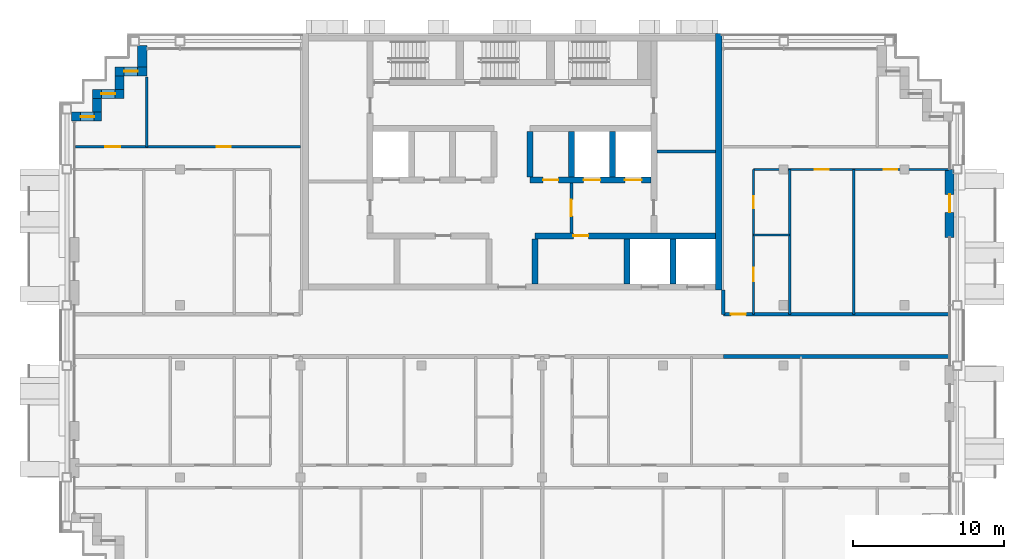
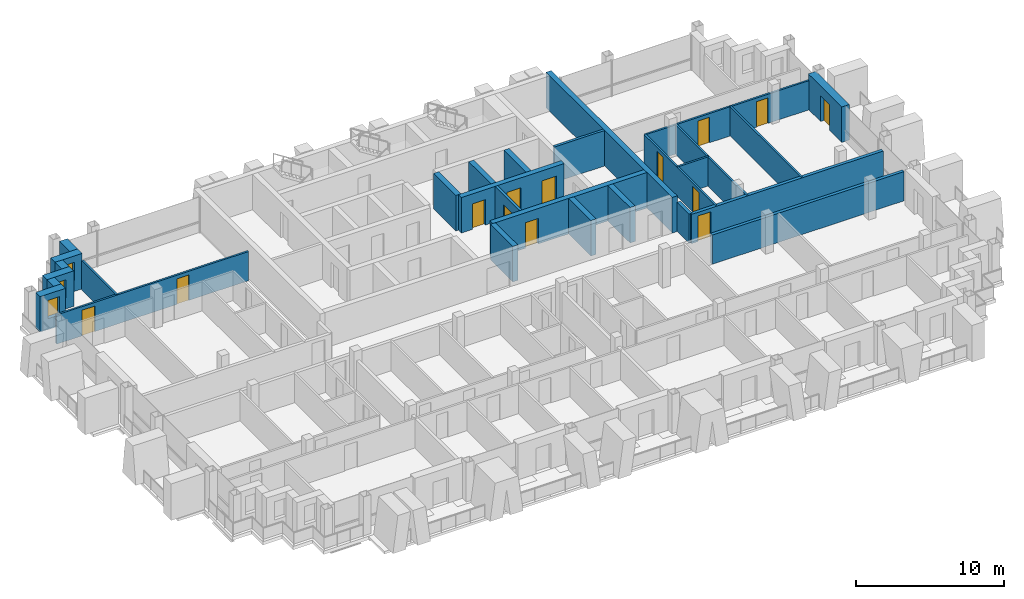
# One storey, part 10 of 15: 28 walls, 13 doors, 3 windows, 16 openings.
"""IFC4 building model written with IfcOpenShell, lengths in metres."""

import ifcopenshell
import ifcopenshell.guid

model = None  # the IFC model being written
_history = None  # IfcOwnerHistory: only IFC2X3 demands one
_inside = {}  # id of a spatial element -> (the spatial element, [elements in it])
_under = {}  # id of a project, library or spatial element -> (it, [spatial elements below it])
_declared = {}  # id of a project -> (the project, [libraries it declares])
_typed = {}  # id of a type object -> (the type object, [elements of that type])
_made_of = {}  # id of a material, layer set ... -> (it, [elements and type objects made of it])


def new_model(schema):
    """Start an empty IFC model of exactly this schema.

    Asked for "IFC4X3", IfcOpenShell would pick the latest addendum, in which some entities
    have other attributes; the version numbers below select the first issue.
    IFC2X3 requires an IfcOwnerHistory on every rooted entity: one is made here for all.
    """
    global model, _history
    if schema == "IFC4X3":
        model = ifcopenshell.file(schema_version=(4, 3, 0, 0))
    else:
        model = ifcopenshell.file(schema=schema)
    _inside.clear()
    _under.clear()
    _declared.clear()
    _typed.clear()
    _made_of.clear()
    _history = None
    if model.schema == "IFC2X3":
        org = make("IfcOrganization", Name="unknown")
        user = make(
            "IfcPersonAndOrganization",
            ThePerson=make("IfcPerson", FamilyName="unknown"),
            TheOrganization=org,
        )
        app = make(
            "IfcApplication",
            ApplicationDeveloper=org,
            Version="unknown",
            ApplicationFullName="unknown",
            ApplicationIdentifier="unknown",
        )
        _history = make(
            "IfcOwnerHistory",
            OwningUser=user,
            OwningApplication=app,
            ChangeAction="ADDED",
            CreationDate=0,
        )
    return model


def make(cls, **values):
    """One entity of the class cls with the attributes given. An attribute that is None is left unset."""
    return model.create_entity(
        cls, **{name: value for name, value in values.items() if value is not None}
    )


def rooted(cls, **values):
    """An entity with a GlobalId (a new one), such as an element, a storey or a relation."""
    return make(cls, GlobalId=ifcopenshell.guid.new(), OwnerHistory=_history, **values)


def si_unit(unit_type, name, prefix=None):
    """IfcSIUnit, for example si_unit("LENGTHUNIT", "METRE", prefix="MILLI")."""
    return make("IfcSIUnit", UnitType=unit_type, Prefix=prefix, Name=name)


def assignment(units):
    """IfcUnitAssignment: the units of a project."""
    return None if units is None else make("IfcUnitAssignment", Units=units)


def point(xyz):
    """IfcCartesianPoint."""
    return None if xyz is None else make("IfcCartesianPoint", Coordinates=xyz)


def direction(xyz):
    """IfcDirection."""
    return None if xyz is None else make("IfcDirection", DirectionRatios=xyz)


def frame(location, z_axis=None, x_axis=None):
    """IfcAxis2Placement3D, a coordinate frame: its origin and axes. An axis left out is left unset."""
    return make(
        "IfcAxis2Placement3D",
        Location=point(location),
        Axis=direction(z_axis),
        RefDirection=direction(x_axis),
    )


def frame_2d(location, x_axis=None):
    """IfcAxis2Placement2D, a coordinate frame in the plane: its origin and x axis."""
    return make(
        "IfcAxis2Placement2D", Location=point(location), RefDirection=direction(x_axis)
    )


def origin():
    """The frame at (0, 0, 0) with its axes left unset."""
    return frame((0.0, 0.0, 0.0))


def place(relative_to, where):
    """IfcLocalPlacement: puts the frame where relative to a parent placement (None: the world)."""
    return make(
        "IfcLocalPlacement", PlacementRelTo=relative_to, RelativePlacement=where
    )


def context(
    kind, dimensions, precision=None, world=None, true_north=None, identifier=None
):
    """IfcGeometricRepresentationContext, for example the 3D "Model" context."""
    return make(
        "IfcGeometricRepresentationContext",
        ContextIdentifier=identifier,
        ContextType=kind,
        CoordinateSpaceDimension=dimensions,
        Precision=precision,
        WorldCoordinateSystem=world,
        TrueNorth=true_north,
    )


def subcontext(parent, identifier, kind, view, scale=None):
    """IfcGeometricRepresentationSubContext, for example "Body" below "Model"."""
    return make(
        "IfcGeometricRepresentationSubContext",
        ContextIdentifier=identifier,
        ContextType=kind,
        ParentContext=parent,
        TargetScale=scale,
        TargetView=view,
    )


def project(units=None, contexts=None):
    """IfcProject with its units and contexts."""
    return rooted(
        "IfcProject",
        Name="project",
        RepresentationContexts=contexts,
        UnitsInContext=assignment(units),
    )


def spatial(cls, under=None, at=None, **own):
    """A site, building, storey or space (cls), placed at a placement, below another one or the project."""
    s = rooted(cls, ObjectPlacement=at, **own)
    if under is not None:
        _under.setdefault(under.id(), (under, []))[1].append(s)
    return s


def profile(cls, at=None, kind="AREA", **sizes):
    """A parametric profile (cls). Its sizes go by their IFC names, for example OverallWidth=200.0."""
    return make(cls, ProfileType=kind, Position=at, **sizes)


def rectangle(**sizes):
    """IfcRectangleProfileDef."""
    return profile("IfcRectangleProfileDef", **sizes)


def extrude(swept, where, along, depth):
    """IfcExtrudedAreaSolid: the profile swept, set in the frame where, extruded along a direction by depth."""
    return make(
        "IfcExtrudedAreaSolid",
        SweptArea=swept,
        Position=where,
        ExtrudedDirection=direction(along),
        Depth=depth,
    )


def shape(context_of_items, identifier, shape_type, items):
    """IfcShapeRepresentation: the items that make up one representation, for example the "Body"."""
    return make(
        "IfcShapeRepresentation",
        ContextOfItems=context_of_items,
        RepresentationIdentifier=identifier,
        RepresentationType=shape_type,
        Items=items,
    )


def material(Name=None, Category=None):
    """IfcMaterial."""
    return make("IfcMaterial", Name=Name, Category=Category)


def layer(
    of_material, thickness, ventilated=None, Name=None, Category=None, Priority=None
):
    """IfcMaterialLayer: one layer of a wall or slab, of a material (None: an air gap)."""
    return make(
        "IfcMaterialLayer",
        Material=of_material,
        LayerThickness=thickness,
        IsVentilated=ventilated,
        Name=Name,
        Category=Category,
        Priority=Priority,
    )


def layer_set(layers, Name=None):
    """IfcMaterialLayerSet."""
    return make("IfcMaterialLayerSet", MaterialLayers=layers, LayerSetName=Name)


def made_of(thing, what):
    """Note that an element or type object is made of a material, layer set ...; save() writes the relation."""
    if what is not None:
        _made_of.setdefault(what.id(), (what, []))[1].append(thing)
    return thing


def type_object(cls, material=None, **own):
    """A type object (cls), such as IfcWallType, which elements share."""
    return made_of(rooted(cls, **own), material)


def element(
    cls,
    number,
    at=None,
    inside=None,
    cuts=None,
    type_object=None,
    material=None,
    context=None,
    identifier="Body",
    shape_type=None,
    held_by="IfcProductDefinitionShape",
    body=None,
    shapes=None,
    **own,
):
    """One element of the class cls, such as IfcWall. Its Tag is "e" and its number.

    at: its placement. inside: the storey or other place that contains it. cuts: it is an
    opening in that element (IfcRelVoidsElement). A single representation is given by context,
    identifier, shape_type and body (its items); several are given by shapes. held_by: the class
    of the entity that holds the representations. save() writes the other relations.
    """
    e = rooted(cls, Tag="e%d" % number, ObjectPlacement=at, **own)
    if body is not None:
        shapes = [shape(context, identifier, shape_type, body)]
    if shapes is not None:
        e.Representation = make(held_by, Representations=shapes)
    if inside is not None:
        _inside.setdefault(inside.id(), (inside, []))[1].append(e)
    if cuts is not None:
        rooted(
            "IfcRelVoidsElement", RelatingBuildingElement=cuts, RelatedOpeningElement=e
        )
    if type_object is not None:
        _typed.setdefault(type_object.id(), (type_object, []))[1].append(e)
    return made_of(e, material)


def fill(opening, filler):
    """IfcRelFillsElement: the door or window that sits in an opening."""
    return rooted(
        "IfcRelFillsElement",
        RelatingOpeningElement=opening,
        RelatedBuildingElement=filler,
    )


def aggregate(whole, parts):
    """IfcRelAggregates: a whole, such as a stair, and the parts it consists of."""
    return rooted("IfcRelAggregates", RelatingObject=whole, RelatedObjects=parts)


def save(model, path):
    """Write the relations noted so far, then the file.

    IfcRelAggregates (storeys below a building ...), IfcRelContainedInSpatialStructure (elements
    in a storey), IfcRelDefinesByType, IfcRelAssociatesMaterial and IfcRelDeclares: one each for
    every whole, place, type object, material and project.
    """
    for whole, parts in _under.values():
        aggregate(whole, parts)
    for where, things in _inside.values():
        rooted(
            "IfcRelContainedInSpatialStructure",
            RelatedElements=things,
            RelatingStructure=where,
        )
    for kind, things in _typed.values():
        rooted("IfcRelDefinesByType", RelatedObjects=things, RelatingType=kind)
    for what, things in _made_of.values():
        rooted("IfcRelAssociatesMaterial", RelatedObjects=things, RelatingMaterial=what)
    for by, libraries in _declared.values():
        rooted("IfcRelDeclares", RelatingContext=by, RelatedDefinitions=libraries)
    model.write(path)


model = new_model("IFC4")

# Units and contexts
model_context = context("Model", 3, precision=1e-05, world=origin(), true_north=direction((0.0, 1.0)))
body_context = subcontext(model_context, "Body", "Model", "MODEL_VIEW")
ifc_project = project(units=[si_unit("LENGTHUNIT", "METRE"), si_unit("AREAUNIT", "SQUARE_METRE"), si_unit("VOLUMEUNIT", "CUBIC_METRE"), si_unit("PLANEANGLEUNIT", "RADIAN"), si_unit("MASSUNIT", "GRAM", prefix="KILO")], contexts=[model_context])

# Site, building, storey
site_placement = place(None, origin())
site = spatial("IfcSite", under=ifc_project, at=site_placement, CompositionType="ELEMENT")
building_placement = place(site_placement, origin())
building = spatial("IfcBuilding", under=site, at=building_placement, Name="Vidyagriha Tower", CompositionType="ELEMENT")
storey_placement = place(building_placement, frame((0.0, 0.0, 233.199951171875)))
storey = spatial("IfcBuildingStorey", under=building, at=storey_placement, Name="L61", CompositionType="ELEMENT", Elevation=233.199951171875)

# Wall
ifc_material_1 = material(Name="Precast concrete C40/50 with brick facing", Category="concrete")
ifc_layer_1 = layer(ifc_material_1, 0.60009765625)
ifc_layer_set_1 = layer_set([ifc_layer_1], Name="Precast concrete C40/50 with brick facing")
wall_type_1 = type_object("IfcWallType", Name="Brick-faced precast wall 600", PredefinedType="STANDARD", material=ifc_layer_set_1)
wall_1_placement = place(storey_placement, frame((-24.5, 19.199951171875, 0.0), z_axis=(0.0, 0.0, 1.0), x_axis=(0.0, -1.0, 0.0)))
element("IfcWall", 1, at=wall_1_placement, inside=storey, type_object=wall_type_1, Name="Stepped corner wall L61 R10", PredefinedType="STANDARD", context=body_context, shape_type="SweptSolid", body=[
    extrude(rectangle(XDim=1.39990234375, YDim=0.60009765625, at=frame_2d((0.699951171875, 0.0))), origin(), (0.0, 0.0, 1.0), 2.920166015625),
])

# Wall, opening, window
wall_2_placement = place(storey_placement, frame((-24.199951171875, 17.5, 0.0), z_axis=(0.0, 0.0, 1.0), x_axis=(-1.0, 0.0, 0.0)))
wall_2 = element("IfcWall", 2, at=wall_2_placement, inside=storey, type_object=wall_type_1, Name="Stepped corner wall L61 R11", PredefinedType="STANDARD", context=body_context, shape_type="SweptSolid", body=[
    extrude(rectangle(XDim=2.10009765625, YDim=0.60009765625, at=frame_2d((1.050048828125, 0.0))), origin(), (0.0, 0.0, 1.0), 2.920166015625),
])
opening_1_placement = place(wall_2_placement, frame((0.60009765625, 0.0, 0.89990234375)))
opening_1 = element("IfcOpeningElement", 3, at=opening_1_placement, cuts=wall_2, Name="Opening WN1", PredefinedType="OPENING", context=body_context, shape_type="SweptSolid", body=[
    extrude(rectangle(XDim=0.89990234375, YDim=1.5, at=frame_2d((0.449951171875, 0.75))), frame((0.0, 0.31005859375, 0.0), z_axis=(0.0, -1.0, 0.0), x_axis=(1.0, 0.0, 0.0)), (0.0, 0.0, 1.0), 0.6201171875),
])
ifc_material_2 = material(Name="Aluminium and glass window", Category="aluminium")
window_type = type_object("IfcWindowType", Name="Reveal window 900x1500", PartitioningType="NOTDEFINED", PredefinedType="WINDOW", material=ifc_material_2)
window_1_placement = place(opening_1_placement, origin())
window_1 = element("IfcWindow", 4, at=window_1_placement, inside=storey, type_object=window_type, Name="Reveal window L61 R11", OverallHeight=1.5, OverallWidth=0.89990234375, PartitioningType="SINGLE_PANEL", PredefinedType="WINDOW", context=body_context, shape_type="SweptSolid", body=[
    extrude(rectangle(XDim=0.89990234375, YDim=1.5, at=frame_2d((0.449951171875, 0.75))), frame((0.0, 0.030029296875, 0.0), z_axis=(0.0, -1.0, 0.0), x_axis=(1.0, 0.0, 0.0)), (0.0, 0.0, 1.0), 0.06005859375),
])
fill(opening_1, window_1)

# Wall
wall_3_placement = place(storey_placement, frame((-26.0, 17.199951171875, 0.0), z_axis=(0.0, 0.0, 1.0), x_axis=(0.0, -1.0, 0.0)))
element("IfcWall", 5, at=wall_3_placement, inside=storey, type_object=wall_type_1, Name="Stepped corner wall L61 R12", PredefinedType="STANDARD", context=body_context, shape_type="SweptSolid", body=[
    extrude(rectangle(XDim=0.89990234375, YDim=0.60009765625, at=frame_2d((0.449951171875, 0.0))), origin(), (0.0, 0.0, 1.0), 2.920166015625),
])

# Wall, opening, window
wall_4_placement = place(storey_placement, frame((-25.699951171875, 16.0, 0.0), z_axis=(0.0, 0.0, 1.0), x_axis=(-1.0, 0.0, 0.0)))
wall_4 = element("IfcWall", 6, at=wall_4_placement, inside=storey, type_object=wall_type_1, Name="Stepped corner wall L61 R13", PredefinedType="STANDARD", context=body_context, shape_type="SweptSolid", body=[
    extrude(rectangle(XDim=2.10009765625, YDim=0.60009765625, at=frame_2d((1.050048828125, 0.0))), origin(), (0.0, 0.0, 1.0), 2.920166015625),
])
opening_2_placement = place(wall_4_placement, frame((0.60009765625, 0.0, 0.89990234375)))
opening_2 = element("IfcOpeningElement", 7, at=opening_2_placement, cuts=wall_4, Name="Opening WN1", PredefinedType="OPENING", context=body_context, shape_type="SweptSolid", body=[
    extrude(rectangle(XDim=0.89990234375, YDim=1.5, at=frame_2d((0.449951171875, 0.75))), frame((0.0, 0.31005859375, 0.0), z_axis=(0.0, -1.0, 0.0), x_axis=(1.0, 0.0, 0.0)), (0.0, 0.0, 1.0), 0.6201171875),
])
window_2_placement = place(opening_2_placement, origin())
window_2 = element("IfcWindow", 8, at=window_2_placement, inside=storey, type_object=window_type, Name="Reveal window L61 R13", OverallHeight=1.5, OverallWidth=0.89990234375, PartitioningType="SINGLE_PANEL", PredefinedType="WINDOW", context=body_context, shape_type="SweptSolid", body=[
    extrude(rectangle(XDim=0.89990234375, YDim=1.5, at=frame_2d((0.449951171875, 0.75))), frame((0.0, 0.030029296875, 0.0), z_axis=(0.0, -1.0, 0.0), x_axis=(1.0, 0.0, 0.0)), (0.0, 0.0, 1.0), 0.06005859375),
])
fill(opening_2, window_2)

# Wall
wall_5_placement = place(storey_placement, frame((-27.5, 15.699951171875, 0.0), z_axis=(0.0, 0.0, 1.0), x_axis=(0.0, -1.0, 0.0)))
element("IfcWall", 9, at=wall_5_placement, inside=storey, type_object=wall_type_1, Name="Stepped corner wall L61 R14", PredefinedType="STANDARD", context=body_context, shape_type="SweptSolid", body=[
    extrude(rectangle(XDim=0.89990234375, YDim=0.60009765625, at=frame_2d((0.449951171875, 0.0))), origin(), (0.0, 0.0, 1.0), 2.920166015625),
])

# Wall, opening, window
wall_6_placement = place(storey_placement, frame((-27.199951171875, 14.5, 0.0), z_axis=(0.0, 0.0, 1.0), x_axis=(-1.0, 0.0, 0.0)))
wall_6 = element("IfcWall", 10, at=wall_6_placement, inside=storey, type_object=wall_type_1, Name="Stepped corner wall L61 R15", PredefinedType="STANDARD", context=body_context, shape_type="SweptSolid", body=[
    extrude(rectangle(XDim=2.0, YDim=0.60009765625, at=frame_2d((1.0, 0.0))), origin(), (0.0, 0.0, 1.0), 2.920166015625),
])
opening_3_placement = place(wall_6_placement, frame((0.489990234375, 0.0, 0.89990234375)))
opening_3 = element("IfcOpeningElement", 11, at=opening_3_placement, cuts=wall_6, Name="Opening WN1", PredefinedType="OPENING", context=body_context, shape_type="SweptSolid", body=[
    extrude(rectangle(XDim=0.89990234375, YDim=1.5, at=frame_2d((0.449951171875, 0.75))), frame((0.0, 0.31005859375, 0.0), z_axis=(0.0, -1.0, 0.0), x_axis=(1.0, 0.0, 0.0)), (0.0, 0.0, 1.0), 0.6201171875),
])
window_3_placement = place(opening_3_placement, origin())
window_3 = element("IfcWindow", 12, at=window_3_placement, inside=storey, type_object=window_type, Name="Reveal window L61 R15", OverallHeight=1.5, OverallWidth=0.89990234375, PartitioningType="SINGLE_PANEL", PredefinedType="WINDOW", context=body_context, shape_type="SweptSolid", body=[
    extrude(rectangle(XDim=0.89990234375, YDim=1.5, at=frame_2d((0.449951171875, 0.75))), frame((0.0, 0.030029296875, 0.0), z_axis=(0.0, -1.0, 0.0), x_axis=(1.0, 0.0, 0.0)), (0.0, 0.0, 1.0), 0.06005859375),
])
fill(opening_3, window_3)

# Wall, opening, door
wall_7_placement = place(storey_placement, frame((29.0, 6.5, 0.0), z_axis=(0.0, 0.0, 1.0), x_axis=(0.0, 1.0, 0.0)))
wall_7 = element("IfcWall", 13, at=wall_7_placement, inside=storey, type_object=wall_type_1, Name="Brick door bay wall L61 R30.6", PredefinedType="STANDARD", context=body_context, shape_type="SweptSolid", body=[
    extrude(rectangle(XDim=4.5, YDim=0.60009765625, at=frame_2d((2.25, 0.0))), origin(), (0.0, 0.0, 1.0), 2.920166015625),
])
opening_4_placement = place(wall_7_placement, frame((1.64990234375, 0.0, 0.0)))
opening_4 = element("IfcOpeningElement", 14, at=opening_4_placement, cuts=wall_7, Name="Opening D61-66", PredefinedType="OPENING", context=body_context, shape_type="SweptSolid", body=[
    extrude(rectangle(XDim=1.199951171875, YDim=2.10009765625, at=frame_2d((0.60009765625, 1.050048828125))), frame((0.0, 0.31005859375, 0.0), z_axis=(0.0, -1.0, 0.0), x_axis=(1.0, 0.0, 0.0)), (0.0, 0.0, 1.0), 0.6201171875),
])
ifc_material_3 = material(Name="Aluminium framed glazed sliding door", Category="aluminium")
door_type_1 = type_object("IfcDoorType", Name="Balcony sliding door 1200x2100", OperationType="NOTDEFINED", PredefinedType="DOOR", material=ifc_material_3)
door_1_placement = place(opening_4_placement, origin())
door_1 = element("IfcDoor", 15, at=door_1_placement, inside=storey, type_object=door_type_1, Name="Door D61-66", OperationType="SLIDING_TO_LEFT", OverallHeight=2.10009765625, OverallWidth=1.199951171875, PredefinedType="DOOR", context=body_context, shape_type="SweptSolid", body=[
    extrude(rectangle(XDim=1.199951171875, YDim=2.10009765625, at=frame_2d((0.60009765625, 1.050048828125))), frame((0.0, 0.02490234375, 0.0), z_axis=(0.0, -1.0, 0.0), x_axis=(1.0, 0.0, 0.0)), (0.0, 0.0, 1.0), 0.050048828125),
])
fill(opening_4, door_1)

# Wall
ifc_material_4 = material(Name="Concrete C60/75", Category="concrete")
ifc_layer_2 = layer(ifc_material_4, 0.39990234375)
ifc_layer_set_2 = layer_set([ifc_layer_2], Name="Concrete C60/75")
wall_type_2 = type_object("IfcWallType", Name="Core shear wall 400 mm", PredefinedType="SHEAR", material=ifc_layer_set_2)
wall_8_placement = place(storey_placement, frame((13.699951171875, 3.0, 0.0), z_axis=(0.0, 0.0, 1.0), x_axis=(0.0, 1.0, 0.0)))
element("IfcWall", 16, at=wall_8_placement, inside=storey, type_object=wall_type_2, Name="Core east wall", PredefinedType="SHEAR", context=body_context, shape_type="SweptSolid", body=[
    extrude(rectangle(XDim=17.0, YDim=0.39990234375, at=frame_2d((8.5, 0.0))), origin(), (0.0, 0.0, 1.0), 2.920166015625),
])

# Wall, opening, door
wall_9_placement = place(storey_placement, frame((1.522216796875, 6.60009765625, 0.0)))
wall_9 = element("IfcWall", 17, at=wall_9_placement, inside=storey, type_object=wall_type_2, Name="Core lobby south wall east", PredefinedType="SHEAR", context=body_context, shape_type="SweptSolid", body=[
    extrude(rectangle(XDim=11.977783203125, YDim=0.39990234375, at=frame_2d((5.98876953125, 0.0))), origin(), (0.0, 0.0, 1.0), 2.920166015625),
])
opening_5_placement = place(wall_9_placement, frame((2.54443359375, 0.0, 0.0)))
opening_5 = element("IfcOpeningElement", 18, at=opening_5_placement, cuts=wall_9, Name="Opening D61-03", PredefinedType="OPENING", context=body_context, shape_type="SweptSolid", body=[
    extrude(rectangle(XDim=1.0, YDim=2.10009765625, at=frame_2d((0.5, 1.050048828125))), frame((0.0, 0.2099609375, 0.0), z_axis=(0.0, -1.0, 0.0), x_axis=(1.0, 0.0, 0.0)), (0.0, 0.0, 1.0), 0.419921875),
])
ifc_material_5 = material(Name="Hollow metal door leaf")
door_type_2 = type_object("IfcDoorType", Name="Core room door 1000 x 2100 mm EI 60", OperationType="NOTDEFINED", PredefinedType="DOOR", material=ifc_material_5)
door_2_placement = place(opening_5_placement, origin())
door_2 = element("IfcDoor", 19, at=door_2_placement, inside=storey, type_object=door_type_2, Name="Door Communications Room 61.02", OperationType="SINGLE_SWING_RIGHT", OverallHeight=2.10009765625, OverallWidth=1.0, PredefinedType="DOOR", context=body_context, shape_type="SweptSolid", body=[
    extrude(rectangle(XDim=1.0, YDim=2.10009765625, at=frame_2d((0.5, 1.050048828125))), frame((0.0, 0.02490234375, 0.0), z_axis=(0.0, -1.0, 0.0), x_axis=(1.0, 0.0, 0.0)), (0.0, 0.0, 1.0), 0.050048828125),
])
fill(opening_5, door_2)

# Walls
for number, where, z_axis, x_axis, name in (
    (20, (1.522216796875, 3.39990234375, 0.0), (0.0, 0.0, 1.0), (0.0, 1.0, 0.0), "Core bay wall S5"),
    (21, (7.611083984375, 3.39990234375, 0.0), (0.0, 0.0, 1.0), (0.0, 1.0, 0.0), "Core bay wall S7"),
    (22, (10.655517578125, 3.39990234375, 0.0), (0.0, 0.0, 1.0), (0.0, 1.0, 0.0), "Core bay wall S8"),
):
    element("IfcWall", number, at=place(storey_placement, frame(where, z_axis=z_axis, x_axis=x_axis)), inside=storey, type_object=wall_type_2, Name=name, PredefinedType="SHEAR", context=body_context, shape_type="SweptSolid", body=[
        extrude(rectangle(XDim=3.0, YDim=0.39990234375, at=frame_2d((1.5, 0.0))), origin(), (0.0, 0.0, 1.0), 2.920166015625),
    ])

# Wall, openings, doors
wall_10_placement = place(storey_placement, frame((1.199951171875, 10.300048828125, 0.0)))
wall_10 = element("IfcWall", 23, at=wall_10_placement, inside=storey, type_object=wall_type_2, Name="Core row N front wall", PredefinedType="SHEAR", context=body_context, shape_type="SweptSolid", body=[
    extrude(rectangle(XDim=8.0, YDim=0.39990234375, at=frame_2d((4.0, 0.0))), origin(), (0.0, 0.0, 1.0), 2.920166015625),
])
opening_6_placement = place(wall_10_placement, frame((3.550048828125, 0.0, 0.0)))
opening_6 = element("IfcOpeningElement", 24, at=opening_6_placement, cuts=wall_10, Name="Opening LD61-04", PredefinedType="OPENING", context=body_context, shape_type="SweptSolid", body=[
    extrude(rectangle(XDim=1.10009765625, YDim=2.10009765625, at=frame_2d((0.550048828125, 1.050048828125))), frame((0.0, 0.2099609375, 0.0), z_axis=(0.0, -1.0, 0.0), x_axis=(1.0, 0.0, 0.0)), (0.0, 0.0, 1.0), 0.419921875),
])
opening_7_placement = place(wall_10_placement, frame((6.283203125, 0.0, 0.0)))
opening_7 = element("IfcOpeningElement", 25, at=opening_7_placement, cuts=wall_10, Name="Opening LD61-05", PredefinedType="OPENING", context=body_context, shape_type="SweptSolid", body=[
    extrude(rectangle(XDim=1.10009765625, YDim=2.10009765625, at=frame_2d((0.550048828125, 1.050048828125))), frame((0.0, 0.2099609375, 0.0), z_axis=(0.0, -1.0, 0.0), x_axis=(1.0, 0.0, 0.0)), (0.0, 0.0, 1.0), 0.419921875),
])
opening_8_placement = place(wall_10_placement, frame((0.86669921875, 0.0, 0.0)))
opening_8 = element("IfcOpeningElement", 26, at=opening_8_placement, cuts=wall_10, Name="Opening D61-06", PredefinedType="OPENING", context=body_context, shape_type="SweptSolid", body=[
    extrude(rectangle(XDim=1.0, YDim=2.10009765625, at=frame_2d((0.5, 1.050048828125))), frame((0.0, 0.2099609375, 0.0), z_axis=(0.0, -1.0, 0.0), x_axis=(1.0, 0.0, 0.0)), (0.0, 0.0, 1.0), 0.419921875),
])
door_3_placement = place(opening_8_placement, frame((1.0, 0.0, 0.0), z_axis=(0.0, 0.0, 1.0), x_axis=(-1.0, 0.0, 0.0)))
door_3 = element("IfcDoor", 27, at=door_3_placement, inside=storey, type_object=door_type_2, Name="Door Communications Room 61.16", OperationType="SINGLE_SWING_LEFT", OverallHeight=2.10009765625, OverallWidth=1.0, PredefinedType="DOOR", context=body_context, shape_type="SweptSolid", body=[
    extrude(rectangle(XDim=1.0, YDim=2.10009765625, at=frame_2d((0.5, 1.050048828125))), frame((0.0, 0.02490234375, 0.0), z_axis=(0.0, -1.0, 0.0), x_axis=(1.0, 0.0, 0.0)), (0.0, 0.0, 1.0), 0.050048828125),
])
fill(opening_8, door_3)
ifc_material_6 = material(Name="Stainless steel sliding door panel", Category="steel")
door_type_3 = type_object("IfcDoorType", Name="Lift landing door 1100 x 2100 mm EI 90", OperationType="NOTDEFINED", PredefinedType="DOOR", material=ifc_material_6)
door_4_placement = place(opening_6_placement, origin())
door_4 = element("IfcDoor", 28, at=door_4_placement, inside=storey, type_object=door_type_3, Name="Landing door FF1 L61", OperationType="SLIDING_TO_LEFT", OverallHeight=2.10009765625, OverallWidth=1.10009765625, PredefinedType="DOOR", context=body_context, shape_type="SweptSolid", body=[
    extrude(rectangle(XDim=1.10009765625, YDim=2.10009765625, at=frame_2d((0.550048828125, 1.050048828125))), frame((0.0, 0.02490234375, 0.0), z_axis=(0.0, -1.0, 0.0), x_axis=(1.0, 0.0, 0.0)), (0.0, 0.0, 1.0), 0.050048828125),
])
fill(opening_6, door_4)
door_5_placement = place(opening_7_placement, origin())
door_5 = element("IfcDoor", 29, at=door_5_placement, inside=storey, type_object=door_type_3, Name="Landing door FF2 L61", OperationType="SLIDING_TO_LEFT", OverallHeight=2.10009765625, OverallWidth=1.10009765625, PredefinedType="DOOR", context=body_context, shape_type="SweptSolid", body=[
    extrude(rectangle(XDim=1.10009765625, YDim=2.10009765625, at=frame_2d((0.550048828125, 1.050048828125))), frame((0.0, 0.02490234375, 0.0), z_axis=(0.0, -1.0, 0.0), x_axis=(1.0, 0.0, 0.0)), (0.0, 0.0, 1.0), 0.050048828125),
])
fill(opening_7, door_5)

# Walls
for number, where, z_axis, x_axis, name in (
    (30, (1.199951171875, 10.5, 0.0), (0.0, 0.0, 1.0), (0.0, 1.0, 0.0), "Core bay wall N4"),
    (31, (3.933349609375, 10.5, 0.0), (0.0, 0.0, 1.0), (0.0, 1.0, 0.0), "Core bay wall N5"),
    (32, (6.666748046875, 10.5, 0.0), (0.0, 0.0, 1.0), (0.0, 1.0, 0.0), "Core bay wall N6"),
):
    element("IfcWall", number, at=place(storey_placement, frame(where, z_axis=z_axis, x_axis=x_axis)), inside=storey, type_object=wall_type_2, Name=name, PredefinedType="SHEAR", context=body_context, shape_type="SweptSolid", body=[
        extrude(rectangle(XDim=3.0, YDim=0.39990234375, at=frame_2d((1.5, 0.0))), origin(), (0.0, 0.0, 1.0), 2.920166015625),
    ])
ifc_material_7 = material(Name="Fired clay brick masonry", Category="masonry")
ifc_layer_3 = layer(ifc_material_7, 0.25)
ifc_layer_set_3 = layer_set([ifc_layer_3], Name="Fired clay brick masonry")
wall_type_3 = type_object("IfcWallType", Name="Fired clay brick corridor wall 250", PredefinedType="PARTITIONING", material=ifc_layer_set_3)
wall_11_placement = place(storey_placement, frame((28.919921875, -1.39990234375, 0.0), z_axis=(0.0, 0.0, 1.0), x_axis=(-1.0, 0.0, 0.0)))
element("IfcWall", 33, at=wall_11_placement, inside=storey, type_object=wall_type_3, Name="Wall all-L61-w060", PredefinedType="PARTITIONING", context=body_context, shape_type="SweptSolid", body=[
    extrude(rectangle(XDim=14.919921875, YDim=0.25, at=frame_2d((7.4599609375, 0.0))), origin(), (0.0, 0.0, 1.0), 2.400146484375),
])

# Wall, opening, door
wall_12_placement = place(storey_placement, frame((14.0, 1.39990234375, 0.0)))
wall_12 = element("IfcWall", 34, at=wall_12_placement, inside=storey, type_object=wall_type_3, Name="Wall all-L61-w090", PredefinedType="PARTITIONING", context=body_context, shape_type="SweptSolid", body=[
    extrude(rectangle(XDim=14.919921875, YDim=0.25, at=frame_2d((7.4599609375, 0.0))), origin(), (0.0, 0.0, 1.0), 2.400146484375),
])
opening_9_placement = place(wall_12_placement, frame((0.5, 0.0, 0.0)))
opening_9 = element("IfcOpeningElement", 35, at=opening_9_placement, cuts=wall_12, Name="Opening D61-56", PredefinedType="OPENING", context=body_context, shape_type="SweptSolid", body=[
    extrude(rectangle(XDim=1.0, YDim=2.10009765625, at=frame_2d((0.5, 1.050048828125))), frame((0.0, 0.135009765625, 0.0), z_axis=(0.0, -1.0, 0.0), x_axis=(1.0, 0.0, 0.0)), (0.0, 0.0, 1.0), 0.27001953125),
])
ifc_material_8 = material(Name="Fire-rated timber door leaf EI 60", Category="wood")
door_type_4 = type_object("IfcDoorType", Name="Flat entrance fire door 1000x2100", OperationType="NOTDEFINED", PredefinedType="DOOR", material=ifc_material_8)
door_6_placement = place(opening_9_placement, origin())
door_6 = element("IfcDoor", 36, at=door_6_placement, inside=storey, type_object=door_type_4, Name="Door D61-56", OperationType="SINGLE_SWING_LEFT", OverallHeight=2.10009765625, OverallWidth=1.0, PredefinedType="DOOR", context=body_context, shape_type="SweptSolid", body=[
    extrude(rectangle(XDim=1.0, YDim=2.10009765625, at=frame_2d((0.5, 1.050048828125))), frame((0.0, 0.02490234375, 0.0), z_axis=(0.0, -1.0, 0.0), x_axis=(1.0, 0.0, 0.0)), (0.0, 0.0, 1.0), 0.050048828125),
])
fill(opening_9, door_6)

# Wall
wall_13_placement = place(storey_placement, frame((14.0, 1.39990234375, 0.0), z_axis=(0.0, 0.0, 1.0), x_axis=(0.0, 1.0, 0.0)))
element("IfcWall", 37, at=wall_13_placement, inside=storey, type_object=wall_type_3, Name="Wall all-L61-w093", PredefinedType="PARTITIONING", context=body_context, shape_type="SweptSolid", body=[
    extrude(rectangle(XDim=1.60009765625, YDim=0.25, at=frame_2d((0.800048828125, 0.0))), origin(), (0.0, 0.0, 1.0), 2.400146484375),
])

# Wall, openings, doors
ifc_material_9 = material(Name="Gypsum board partition")
ifc_layer_4 = layer(ifc_material_9, 0.14990234375)
ifc_layer_set_4 = layer_set([ifc_layer_4], Name="Gypsum board partition")
wall_type_4 = type_object("IfcWallType", Name="Gypsum board partition 150", PredefinedType="PARTITIONING", material=ifc_layer_set_4)
wall_14_placement = place(storey_placement, frame((-28.919921875, 12.5, 0.0)))
wall_14 = element("IfcWall", 38, at=wall_14_placement, inside=storey, type_object=wall_type_4, Name="Wall all-L61-w070", PredefinedType="PARTITIONING", context=body_context, shape_type="SweptSolid", body=[
    extrude(rectangle(XDim=14.919921875, YDim=0.14990234375, at=frame_2d((7.4599609375, 0.0))), origin(), (0.0, 0.0, 1.0), 2.400146484375),
])
opening_10_placement = place(wall_14_placement, frame((1.969970703125, 0.0, 0.0)))
opening_10 = element("IfcOpeningElement", 39, at=opening_10_placement, cuts=wall_14, Name="Opening D61-47", PredefinedType="OPENING", context=body_context, shape_type="SweptSolid", body=[
    extrude(rectangle(XDim=1.0, YDim=2.10009765625, at=frame_2d((0.5, 1.050048828125))), frame((0.0, 0.0849609375, 0.0), z_axis=(0.0, -1.0, 0.0), x_axis=(1.0, 0.0, 0.0)), (0.0, 0.0, 1.0), 0.169921875),
])
opening_11_placement = place(wall_14_placement, frame((9.3701171875, 0.0, 0.0)))
opening_11 = element("IfcOpeningElement", 40, at=opening_11_placement, cuts=wall_14, Name="Opening D61-48", PredefinedType="OPENING", context=body_context, shape_type="SweptSolid", body=[
    extrude(rectangle(XDim=0.89990234375, YDim=2.10009765625, at=frame_2d((0.449951171875, 1.050048828125))), frame((0.0, 0.0849609375, 0.0), z_axis=(0.0, -1.0, 0.0), x_axis=(1.0, 0.0, 0.0)), (0.0, 0.0, 1.0), 0.169921875),
])
ifc_material_10 = material(Name="Timber door leaf", Category="wood")
door_type_5 = type_object("IfcDoorType", Name="Room door 1000x2100", OperationType="NOTDEFINED", PredefinedType="DOOR", material=ifc_material_10)
door_7_placement = place(opening_10_placement, origin())
door_7 = element("IfcDoor", 41, at=door_7_placement, inside=storey, type_object=door_type_5, Name="Door D61-47", OperationType="SINGLE_SWING_RIGHT", OverallHeight=2.10009765625, OverallWidth=1.0, PredefinedType="DOOR", context=body_context, shape_type="SweptSolid", body=[
    extrude(rectangle(XDim=1.0, YDim=2.10009765625, at=frame_2d((0.5, 1.050048828125))), frame((0.0, 0.02490234375, 0.0), z_axis=(0.0, -1.0, 0.0), x_axis=(1.0, 0.0, 0.0)), (0.0, 0.0, 1.0), 0.050048828125),
])
fill(opening_10, door_7)
ifc_material_11 = material(Name="Timber door leaf", Category="wood")
door_type_6 = type_object("IfcDoorType", Name="Room door 900x2100", OperationType="NOTDEFINED", PredefinedType="DOOR", material=ifc_material_11)
door_8_placement = place(opening_11_placement, origin())
door_8 = element("IfcDoor", 42, at=door_8_placement, inside=storey, type_object=door_type_6, Name="Door D61-48", OperationType="SINGLE_SWING_LEFT", OverallHeight=2.10009765625, OverallWidth=0.89990234375, PredefinedType="DOOR", context=body_context, shape_type="SweptSolid", body=[
    extrude(rectangle(XDim=0.89990234375, YDim=2.10009765625, at=frame_2d((0.449951171875, 1.050048828125))), frame((0.0, 0.02490234375, 0.0), z_axis=(0.0, -1.0, 0.0), x_axis=(1.0, 0.0, 0.0)), (0.0, 0.0, 1.0), 0.050048828125),
])
fill(opening_11, door_8)

# Walls
wall_15_placement = place(storey_placement, frame((-24.199951171875, 17.1201171875, 0.0), z_axis=(0.0, 0.0, 1.0), x_axis=(0.0, -1.0, 0.0)))
element("IfcWall", 43, at=wall_15_placement, inside=storey, type_object=wall_type_4, Name="Wall all-L61-w073", PredefinedType="PARTITIONING", context=body_context, shape_type="SweptSolid", body=[
    extrude(rectangle(XDim=4.6201171875, YDim=0.14990234375, at=frame_2d((2.31005859375, 0.0))), origin(), (0.0, 0.0, 1.0), 2.400146484375),
])
wall_16_placement = place(storey_placement, frame((16.0, 6.64990234375, 0.0)))
element("IfcWall", 44, at=wall_16_placement, inside=storey, type_object=wall_type_4, Name="Wall all-L61-w079", PredefinedType="PARTITIONING", context=body_context, shape_type="SweptSolid", body=[
    extrude(rectangle(XDim=2.39990234375, YDim=0.14990234375, at=frame_2d((1.199951171875, 0.0))), origin(), (0.0, 0.0, 1.0), 2.400146484375),
])
for number, where, z_axis, x_axis, name in (
    (45, (18.39990234375, 11.0, 0.0), (0.0, 0.0, 1.0), (0.0, -1.0, 0.0), "Wall all-L61-w080"),
    (46, (22.64990234375, 11.0, 0.0), (0.0, 0.0, 1.0), (0.0, -1.0, 0.0), "Wall all-L61-w081"),
):
    element("IfcWall", number, at=place(storey_placement, frame(where, z_axis=z_axis, x_axis=x_axis)), inside=storey, type_object=wall_type_4, Name=name, PredefinedType="PARTITIONING", context=body_context, shape_type="SweptSolid", body=[
        extrude(rectangle(XDim=9.60009765625, YDim=0.14990234375, at=frame_2d((4.800048828125, 0.0))), origin(), (0.0, 0.0, 1.0), 2.400146484375),
    ])

# Wall, openings, doors
wall_17_placement = place(storey_placement, frame((28.909912109375, 11.0, 0.0), z_axis=(0.0, 0.0, 1.0), x_axis=(-1.0, 0.0, 0.0)))
wall_17 = element("IfcWall", 47, at=wall_17_placement, inside=storey, type_object=wall_type_4, Name="Wall all-L61-w082", PredefinedType="PARTITIONING", context=body_context, shape_type="SweptSolid", body=[
    extrude(rectangle(XDim=12.909912109375, YDim=0.14990234375, at=frame_2d((6.455078125, 0.0))), origin(), (0.0, 0.0, 1.0), 2.400146484375),
])
opening_12_placement = place(wall_17_placement, frame((7.93505859375, 0.0, 0.0)))
opening_12 = element("IfcOpeningElement", 48, at=opening_12_placement, cuts=wall_17, Name="Opening D61-52", PredefinedType="OPENING", context=body_context, shape_type="SweptSolid", body=[
    extrude(rectangle(XDim=0.89990234375, YDim=2.10009765625, at=frame_2d((0.449951171875, 1.050048828125))), frame((0.0, 0.0849609375, 0.0), z_axis=(0.0, -1.0, 0.0), x_axis=(1.0, 0.0, 0.0)), (0.0, 0.0, 1.0), 0.169921875),
])
opening_13_placement = place(wall_17_placement, frame((3.385986328125, 0.0, 0.0)))
opening_13 = element("IfcOpeningElement", 49, at=opening_13_placement, cuts=wall_17, Name="Opening D61-53", PredefinedType="OPENING", context=body_context, shape_type="SweptSolid", body=[
    extrude(rectangle(XDim=0.89990234375, YDim=2.10009765625, at=frame_2d((0.449951171875, 1.050048828125))), frame((0.0, 0.0849609375, 0.0), z_axis=(0.0, -1.0, 0.0), x_axis=(1.0, 0.0, 0.0)), (0.0, 0.0, 1.0), 0.169921875),
])
door_9_placement = place(opening_12_placement, origin())
door_9 = element("IfcDoor", 50, at=door_9_placement, inside=storey, type_object=door_type_6, Name="Door D61-52", OperationType="SINGLE_SWING_RIGHT", OverallHeight=2.10009765625, OverallWidth=0.89990234375, PredefinedType="DOOR", context=body_context, shape_type="SweptSolid", body=[
    extrude(rectangle(XDim=0.89990234375, YDim=2.10009765625, at=frame_2d((0.449951171875, 1.050048828125))), frame((0.0, 0.02490234375, 0.0), z_axis=(0.0, -1.0, 0.0), x_axis=(1.0, 0.0, 0.0)), (0.0, 0.0, 1.0), 0.050048828125),
])
fill(opening_12, door_9)
door_10_placement = place(opening_13_placement, origin())
door_10 = element("IfcDoor", 51, at=door_10_placement, inside=storey, type_object=door_type_6, Name="Door D61-53", OperationType="SINGLE_SWING_RIGHT", OverallHeight=2.10009765625, OverallWidth=0.89990234375, PredefinedType="DOOR", context=body_context, shape_type="SweptSolid", body=[
    extrude(rectangle(XDim=0.89990234375, YDim=2.10009765625, at=frame_2d((0.449951171875, 1.050048828125))), frame((0.0, 0.02490234375, 0.0), z_axis=(0.0, -1.0, 0.0), x_axis=(1.0, 0.0, 0.0)), (0.0, 0.0, 1.0), 0.050048828125),
])
fill(opening_13, door_10)

ifc_material_12 = material(Name="Moisture resistant gypsum board partition")
ifc_layer_5 = layer(ifc_material_12, 0.14990234375)
ifc_layer_set_5 = layer_set([ifc_layer_5], Name="Moisture resistant gypsum board partition")
wall_type_5 = type_object("IfcWallType", Name="Gypsum board wet-area partition 150", PredefinedType="PARTITIONING", material=ifc_layer_set_5)
wall_18_placement = place(storey_placement, frame((16.0, 11.0, 0.0), z_axis=(0.0, 0.0, 1.0), x_axis=(0.0, -1.0, 0.0)))
wall_18 = element("IfcWall", 52, at=wall_18_placement, inside=storey, type_object=wall_type_5, Name="Wall all-L61-w076", PredefinedType="PARTITIONING", context=body_context, shape_type="SweptSolid", body=[
    extrude(rectangle(XDim=9.60009765625, YDim=0.14990234375, at=frame_2d((4.800048828125, 0.0))), origin(), (0.0, 0.0, 1.0), 2.400146484375),
])
opening_14_placement = place(wall_18_placement, frame((6.52490234375, 0.0, 0.0)))
opening_14 = element("IfcOpeningElement", 53, at=opening_14_placement, cuts=wall_18, Name="Opening D61-50", PredefinedType="OPENING", context=body_context, shape_type="SweptSolid", body=[
    extrude(rectangle(XDim=0.89990234375, YDim=2.10009765625, at=frame_2d((0.449951171875, 1.050048828125))), frame((0.0, 0.0849609375, 0.0), z_axis=(0.0, -1.0, 0.0), x_axis=(1.0, 0.0, 0.0)), (0.0, 0.0, 1.0), 0.169921875),
])
opening_15_placement = place(wall_18_placement, frame((1.77490234375, 0.0, 0.0)))
opening_15 = element("IfcOpeningElement", 54, at=opening_15_placement, cuts=wall_18, Name="Opening D61-51", PredefinedType="OPENING", context=body_context, shape_type="SweptSolid", body=[
    extrude(rectangle(XDim=0.800048828125, YDim=2.10009765625, at=frame_2d((0.39990234375, 1.050048828125))), frame((0.0, 0.0849609375, 0.0), z_axis=(0.0, -1.0, 0.0), x_axis=(1.0, 0.0, 0.0)), (0.0, 0.0, 1.0), 0.169921875),
])
ifc_material_13 = material(Name="Timber door leaf", Category="wood")
door_type_7 = type_object("IfcDoorType", Name="Bathroom door 800x2100", OperationType="NOTDEFINED", PredefinedType="DOOR", material=ifc_material_13)
door_11_placement = place(opening_15_placement, origin())
door_11 = element("IfcDoor", 55, at=door_11_placement, inside=storey, type_object=door_type_7, Name="Door D61-51", OperationType="SINGLE_SWING_RIGHT", OverallHeight=2.10009765625, OverallWidth=0.800048828125, PredefinedType="DOOR", context=body_context, shape_type="SweptSolid", body=[
    extrude(rectangle(XDim=0.800048828125, YDim=2.10009765625, at=frame_2d((0.39990234375, 1.050048828125))), frame((0.0, 0.02490234375, 0.0), z_axis=(0.0, -1.0, 0.0), x_axis=(1.0, 0.0, 0.0)), (0.0, 0.0, 1.0), 0.050048828125),
])
fill(opening_15, door_11)
ifc_material_14 = material(Name="Timber door leaf", Category="wood")
door_type_8 = type_object("IfcDoorType", Name="Kitchen door 900x2100", OperationType="NOTDEFINED", PredefinedType="DOOR", material=ifc_material_14)
door_12_placement = place(opening_14_placement, origin())
door_12 = element("IfcDoor", 56, at=door_12_placement, inside=storey, type_object=door_type_8, Name="Door D61-50", OperationType="SINGLE_SWING_LEFT", OverallHeight=2.10009765625, OverallWidth=0.89990234375, PredefinedType="DOOR", context=body_context, shape_type="SweptSolid", body=[
    extrude(rectangle(XDim=0.89990234375, YDim=2.10009765625, at=frame_2d((0.449951171875, 1.050048828125))), frame((0.0, 0.02490234375, 0.0), z_axis=(0.0, -1.0, 0.0), x_axis=(1.0, 0.0, 0.0)), (0.0, 0.0, 1.0), 0.050048828125),
])
fill(opening_14, door_12)

# Wall, opening, door
ifc_material_15 = material(Name="Blockwork 15 MPa", Category="masonry")
ifc_layer_6 = layer(ifc_material_15, 0.199951171875)
ifc_layer_set_6 = layer_set([ifc_layer_6], Name="Blockwork 15 MPa")
wall_type_6 = type_object("IfcWallType", Name="Service room partition 200 mm", PredefinedType="PARTITIONING", material=ifc_layer_set_6)
wall_19_placement = place(storey_placement, frame((3.933349609375, 6.800048828125, 0.0), z_axis=(0.0, 0.0, 1.0), x_axis=(0.0, 1.0, 0.0)))
wall_19 = element("IfcWall", 57, at=wall_19_placement, inside=storey, type_object=wall_type_6, Name="Fire-fighting lobby west wall", PredefinedType="PARTITIONING", context=body_context, shape_type="SweptSolid", body=[
    extrude(rectangle(XDim=3.300048828125, YDim=0.199951171875, at=frame_2d((1.64990234375, 0.0))), origin(), (0.0, 0.0, 1.0), 2.920166015625),
])
opening_16_placement = place(wall_19_placement, frame((1.10009765625, 0.0, 0.0)))
opening_16 = element("IfcOpeningElement", 58, at=opening_16_placement, cuts=wall_19, Name="Opening D61-07", PredefinedType="OPENING", context=body_context, shape_type="SweptSolid", body=[
    extrude(rectangle(XDim=1.10009765625, YDim=2.10009765625, at=frame_2d((0.550048828125, 1.050048828125))), frame((0.0, 0.10986328125, 0.0), z_axis=(0.0, -1.0, 0.0), x_axis=(1.0, 0.0, 0.0)), (0.0, 0.0, 1.0), 0.219970703125),
])
ifc_material_16 = material(Name="Hollow metal door leaf")
door_type_9 = type_object("IfcDoorType", Name="Fire-fighting lobby door 1100 x 2100 mm EI 90", OperationType="NOTDEFINED", PredefinedType="DOOR", material=ifc_material_16)
door_13_placement = place(opening_16_placement, origin())
door_13 = element("IfcDoor", 59, at=door_13_placement, inside=storey, type_object=door_type_9, Name="Fire-fighting lobby door L61", OperationType="SINGLE_SWING_RIGHT", OverallHeight=2.10009765625, OverallWidth=1.10009765625, PredefinedType="DOOR", context=body_context, shape_type="SweptSolid", body=[
    extrude(rectangle(XDim=1.10009765625, YDim=2.10009765625, at=frame_2d((0.550048828125, 1.050048828125))), frame((0.0, 0.02490234375, 0.0), z_axis=(0.0, -1.0, 0.0), x_axis=(1.0, 0.0, 0.0)), (0.0, 0.0, 1.0), 0.050048828125),
])
fill(opening_16, door_13)

# Wall
wall_20_placement = place(storey_placement, frame((9.60009765625, 12.199951171875, 0.0)))
element("IfcWall", 60, at=wall_20_placement, inside=storey, type_object=wall_type_6, Name="Core room partition E1", PredefinedType="PARTITIONING", context=body_context, shape_type="SweptSolid", body=[
    extrude(rectangle(XDim=3.89990234375, YDim=0.199951171875, at=frame_2d((1.949951171875, 0.0))), origin(), (0.0, 0.0, 1.0), 2.920166015625),
])

save(model, "model.ifc")
